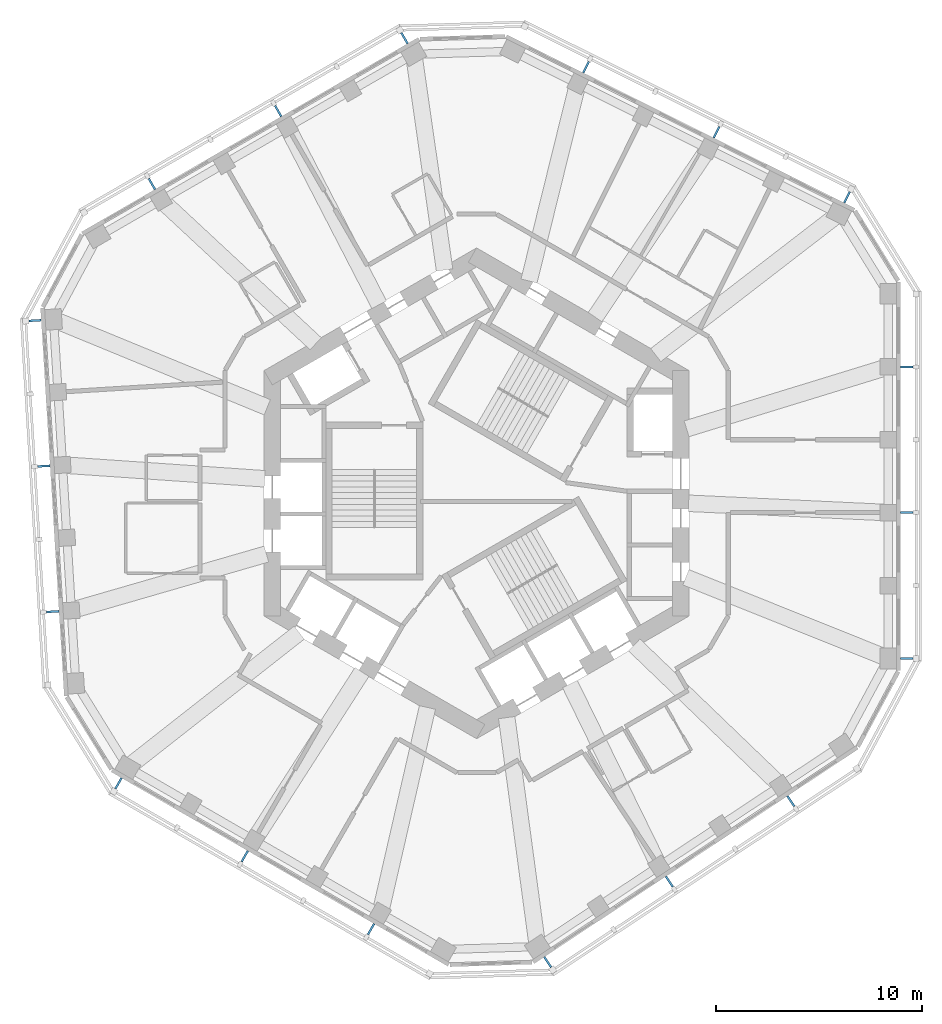
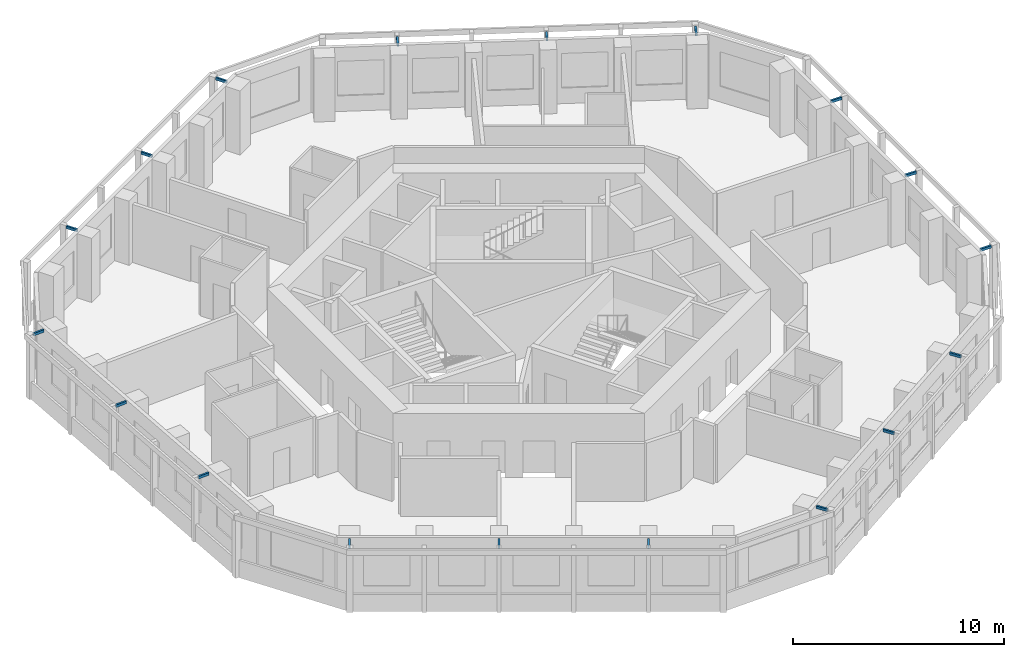
# One storey, part 10 of 11: 18 discrete accessories.
"""IFC4 building model written with IfcOpenShell, lengths in metres."""

import ifcopenshell
import ifcopenshell.guid

model = None  # the IFC model being written
_history = None  # IfcOwnerHistory: only IFC2X3 demands one
_inside = {}  # id of a spatial element -> (the spatial element, [elements in it])
_under = {}  # id of a project, library or spatial element -> (it, [spatial elements below it])
_declared = {}  # id of a project -> (the project, [libraries it declares])
_typed = {}  # id of a type object -> (the type object, [elements of that type])
_made_of = {}  # id of a material, layer set ... -> (it, [elements and type objects made of it])


def new_model(schema):
    """Start an empty IFC model of exactly this schema.

    Asked for "IFC4X3", IfcOpenShell would pick the latest addendum, in which some entities
    have other attributes; the version numbers below select the first issue.
    IFC2X3 requires an IfcOwnerHistory on every rooted entity: one is made here for all.
    """
    global model, _history
    if schema == "IFC4X3":
        model = ifcopenshell.file(schema_version=(4, 3, 0, 0))
    else:
        model = ifcopenshell.file(schema=schema)
    _inside.clear()
    _under.clear()
    _declared.clear()
    _typed.clear()
    _made_of.clear()
    _history = None
    if model.schema == "IFC2X3":
        org = make("IfcOrganization", Name="unknown")
        user = make(
            "IfcPersonAndOrganization",
            ThePerson=make("IfcPerson", FamilyName="unknown"),
            TheOrganization=org,
        )
        app = make(
            "IfcApplication",
            ApplicationDeveloper=org,
            Version="unknown",
            ApplicationFullName="unknown",
            ApplicationIdentifier="unknown",
        )
        _history = make(
            "IfcOwnerHistory",
            OwningUser=user,
            OwningApplication=app,
            ChangeAction="ADDED",
            CreationDate=0,
        )
    return model


def make(cls, **values):
    """One entity of the class cls with the attributes given. An attribute that is None is left unset."""
    return model.create_entity(
        cls, **{name: value for name, value in values.items() if value is not None}
    )


def rooted(cls, **values):
    """An entity with a GlobalId (a new one), such as an element, a storey or a relation."""
    return make(cls, GlobalId=ifcopenshell.guid.new(), OwnerHistory=_history, **values)


def si_unit(unit_type, name, prefix=None):
    """IfcSIUnit, for example si_unit("LENGTHUNIT", "METRE", prefix="MILLI")."""
    return make("IfcSIUnit", UnitType=unit_type, Prefix=prefix, Name=name)


def assignment(units):
    """IfcUnitAssignment: the units of a project."""
    return None if units is None else make("IfcUnitAssignment", Units=units)


def point(xyz):
    """IfcCartesianPoint."""
    return None if xyz is None else make("IfcCartesianPoint", Coordinates=xyz)


def direction(xyz):
    """IfcDirection."""
    return None if xyz is None else make("IfcDirection", DirectionRatios=xyz)


def frame(location, z_axis=None, x_axis=None):
    """IfcAxis2Placement3D, a coordinate frame: its origin and axes. An axis left out is left unset."""
    return make(
        "IfcAxis2Placement3D",
        Location=point(location),
        Axis=direction(z_axis),
        RefDirection=direction(x_axis),
    )


def frame_2d(location, x_axis=None):
    """IfcAxis2Placement2D, a coordinate frame in the plane: its origin and x axis."""
    return make(
        "IfcAxis2Placement2D", Location=point(location), RefDirection=direction(x_axis)
    )


def origin():
    """The frame at (0, 0, 0) with its axes left unset."""
    return frame((0.0, 0.0, 0.0))


def origin_2d():
    """The frame at (0, 0) in the plane with its x axis left unset."""
    return frame_2d((0.0, 0.0))


def place(relative_to, where):
    """IfcLocalPlacement: puts the frame where relative to a parent placement (None: the world)."""
    return make(
        "IfcLocalPlacement", PlacementRelTo=relative_to, RelativePlacement=where
    )


def context(
    kind, dimensions, precision=None, world=None, true_north=None, identifier=None
):
    """IfcGeometricRepresentationContext, for example the 3D "Model" context."""
    return make(
        "IfcGeometricRepresentationContext",
        ContextIdentifier=identifier,
        ContextType=kind,
        CoordinateSpaceDimension=dimensions,
        Precision=precision,
        WorldCoordinateSystem=world,
        TrueNorth=true_north,
    )


def subcontext(parent, identifier, kind, view, scale=None):
    """IfcGeometricRepresentationSubContext, for example "Body" below "Model"."""
    return make(
        "IfcGeometricRepresentationSubContext",
        ContextIdentifier=identifier,
        ContextType=kind,
        ParentContext=parent,
        TargetScale=scale,
        TargetView=view,
    )


def project(units=None, contexts=None):
    """IfcProject with its units and contexts."""
    return rooted(
        "IfcProject",
        Name="project",
        RepresentationContexts=contexts,
        UnitsInContext=assignment(units),
    )


def spatial(cls, under=None, at=None, **own):
    """A site, building, storey or space (cls), placed at a placement, below another one or the project."""
    s = rooted(cls, ObjectPlacement=at, **own)
    if under is not None:
        _under.setdefault(under.id(), (under, []))[1].append(s)
    return s


def profile(cls, at=None, kind="AREA", **sizes):
    """A parametric profile (cls). Its sizes go by their IFC names, for example OverallWidth=200.0."""
    return make(cls, ProfileType=kind, Position=at, **sizes)


def rectangle(**sizes):
    """IfcRectangleProfileDef."""
    return profile("IfcRectangleProfileDef", **sizes)


def extrude(swept, where, along, depth):
    """IfcExtrudedAreaSolid: the profile swept, set in the frame where, extruded along a direction by depth."""
    return make(
        "IfcExtrudedAreaSolid",
        SweptArea=swept,
        Position=where,
        ExtrudedDirection=direction(along),
        Depth=depth,
    )


def shape(context_of_items, identifier, shape_type, items):
    """IfcShapeRepresentation: the items that make up one representation, for example the "Body"."""
    return make(
        "IfcShapeRepresentation",
        ContextOfItems=context_of_items,
        RepresentationIdentifier=identifier,
        RepresentationType=shape_type,
        Items=items,
    )


def material(Name=None, Category=None):
    """IfcMaterial."""
    return make("IfcMaterial", Name=Name, Category=Category)


def made_of(thing, what):
    """Note that an element or type object is made of a material, layer set ...; save() writes the relation."""
    if what is not None:
        _made_of.setdefault(what.id(), (what, []))[1].append(thing)
    return thing


def type_object(cls, material=None, **own):
    """A type object (cls), such as IfcWallType, which elements share."""
    return made_of(rooted(cls, **own), material)


def element(
    cls,
    number,
    at=None,
    inside=None,
    cuts=None,
    type_object=None,
    material=None,
    context=None,
    identifier="Body",
    shape_type=None,
    held_by="IfcProductDefinitionShape",
    body=None,
    shapes=None,
    **own,
):
    """One element of the class cls, such as IfcWall. Its Tag is "e" and its number.

    at: its placement. inside: the storey or other place that contains it. cuts: it is an
    opening in that element (IfcRelVoidsElement). A single representation is given by context,
    identifier, shape_type and body (its items); several are given by shapes. held_by: the class
    of the entity that holds the representations. save() writes the other relations.
    """
    e = rooted(cls, Tag="e%d" % number, ObjectPlacement=at, **own)
    if body is not None:
        shapes = [shape(context, identifier, shape_type, body)]
    if shapes is not None:
        e.Representation = make(held_by, Representations=shapes)
    if inside is not None:
        _inside.setdefault(inside.id(), (inside, []))[1].append(e)
    if cuts is not None:
        rooted(
            "IfcRelVoidsElement", RelatingBuildingElement=cuts, RelatedOpeningElement=e
        )
    if type_object is not None:
        _typed.setdefault(type_object.id(), (type_object, []))[1].append(e)
    return made_of(e, material)


def aggregate(whole, parts):
    """IfcRelAggregates: a whole, such as a stair, and the parts it consists of."""
    return rooted("IfcRelAggregates", RelatingObject=whole, RelatedObjects=parts)


def save(model, path):
    """Write the relations noted so far, then the file.

    IfcRelAggregates (storeys below a building ...), IfcRelContainedInSpatialStructure (elements
    in a storey), IfcRelDefinesByType, IfcRelAssociatesMaterial and IfcRelDeclares: one each for
    every whole, place, type object, material and project.
    """
    for whole, parts in _under.values():
        aggregate(whole, parts)
    for where, things in _inside.values():
        rooted(
            "IfcRelContainedInSpatialStructure",
            RelatedElements=things,
            RelatingStructure=where,
        )
    for kind, things in _typed.values():
        rooted("IfcRelDefinesByType", RelatedObjects=things, RelatingType=kind)
    for what, things in _made_of.values():
        rooted("IfcRelAssociatesMaterial", RelatedObjects=things, RelatingMaterial=what)
    for by, libraries in _declared.values():
        rooted("IfcRelDeclares", RelatingContext=by, RelatedDefinitions=libraries)
    model.write(path)


model = new_model("IFC4")

# Units and contexts
model_context = context("Model", 3, precision=1e-05, world=origin(), true_north=direction((0.0, 1.0)))
body_context = subcontext(model_context, "Body", "Model", "MODEL_VIEW")
ifc_project = project(units=[si_unit("LENGTHUNIT", "METRE"), si_unit("AREAUNIT", "SQUARE_METRE"), si_unit("VOLUMEUNIT", "CUBIC_METRE"), si_unit("PLANEANGLEUNIT", "RADIAN"), si_unit("MASSUNIT", "GRAM", prefix="KILO")], contexts=[model_context])

# Site, building, storey
site_placement = place(None, origin())
site = spatial("IfcSite", under=ifc_project, at=site_placement, CompositionType="ELEMENT")
building_placement = place(site_placement, origin())
building = spatial("IfcBuilding", under=site, at=building_placement, Name="Vanh Sen Convention Tower", CompositionType="ELEMENT")
storey_placement = place(building_placement, frame((0.0, 0.0, 251.300048828125)))
storey = spatial("IfcBuildingStorey", under=building, at=storey_placement, Name="L62", CompositionType="ELEMENT", Elevation=251.300048828125)

# Discrete accessories
ifc_material = material(Name="Steel S355", Category="steel")
discrete_accessory_type = type_object("IfcDiscreteAccessoryType", Name="Fin bracket 100 x 150", PredefinedType="BRACKET", material=ifc_material)
for number, where, z_axis, x_axis, name in (
    (1, (20.85009765625, -8.002685546875, 3.5), (0.0, 0.0, 1.0), (1.0, 0.0, 0.0), "Fin bracket E-1 L62"),
    (2, (20.85009765625, -0.935546875, 3.5), (0.0, 0.0, 1.0), (1.0, 0.0, 0.0), "Fin bracket E-3 L62"),
    (3, (20.85009765625, 6.131591796875, 3.5), (0.0, 0.0, 1.0), (1.0, 0.0, 0.0), "Fin bracket E-5 L62"),
    (4, (17.953125, 14.3466796875, 3.5), (0.0, 0.0, 1.0), (0.44619781311, 0.894934361602, 0.0), "Fin bracket NE-1 L62"),
    (5, (11.62841796875, 17.5, 3.5), (0.0, 0.0, 1.0), (0.44619781311, 0.894934361602, 0.0), "Fin bracket NE-3 L62"),
    (6, (5.3037109375, 20.653564453125, 3.5), (0.0, 0.0, 1.0), (0.44619781311, 0.894934361602, 0.0), "Fin bracket NE-5 L62"),
    (7, (-3.494384765625, 22.05810546875, 3.5), (0.0, 0.0, 1.0), (-0.5, 0.866025403784, 0.0), "Fin bracket NW-1 L62"),
    (8, (-9.61474609375, 18.5244140625, 3.5), (0.0, 0.0, 1.0), (-0.5, 0.866025403784, 0.0), "Fin bracket NW-3 L62"),
    (9, (-15.735107421875, 14.99072265625, 3.5), (0.0, 0.0, 1.0), (-0.5, 0.866025403784, 0.0), "Fin bracket NW-5 L62"),
    (10, (-21.401123046875, 8.37451171875, 3.5), (0.0, 0.0, 1.0), (-0.998134798422, -0.061048539535, 0.0), "Fin bracket W-1 L62"),
    (11, (-20.9697265625, 1.3203125, 3.5), (0.0, 0.0, 1.0), (-0.998134798422, -0.061048539535, 0.0), "Fin bracket W-3 L62"),
    (12, (-20.538330078125, -5.733642578125, 3.5), (0.0, 0.0, 1.0), (-0.998134798422, -0.061048539535, 0.0), "Fin bracket W-5 L62"),
    (13, (-17.355712890625, -14.05517578125, 3.5), (0.0, 0.0, 1.0), (-0.5, -0.866025403784, 0.0), "Fin bracket SW-1 L62"),
    (14, (-11.235107421875, -17.5888671875, 3.5), (0.0, 0.0, 1.0), (-0.5, -0.866025403784, 0.0), "Fin bracket SW-3 L62"),
    (15, (-5.11474609375, -21.12255859375, 3.5), (0.0, 0.0, 1.0), (-0.5, -0.866025403784, 0.0), "Fin bracket SW-5 L62"),
    (16, (3.447998046875, -22.72119140625, 3.5), (0.0, 0.0, 1.0), (0.551936985312, -0.833885822067, 0.0), "Fin bracket SE-1 L62"),
    (17, (9.34130859375, -18.820556640625, 3.5), (0.0, 0.0, 1.0), (0.551936985312, -0.833885822067, 0.0), "Fin bracket SE-3 L62"),
    (18, (15.234619140625, -14.919921875, 3.5), (0.0, 0.0, 1.0), (0.551936985312, -0.833885822067, 0.0), "Fin bracket SE-5 L62"),
):
    element("IfcDiscreteAccessory", number, at=place(storey_placement, frame(where, z_axis=z_axis, x_axis=x_axis)), inside=storey, type_object=discrete_accessory_type, Name=name, PredefinedType="BRACKET", context=body_context, shape_type="SweptSolid", body=[
        extrude(rectangle(XDim=0.60009765625, YDim=0.10009765625, at=origin_2d()), origin(), (0.0, 0.0, 1.0), 0.14990234375),
    ])

save(model, "model.ifc")
